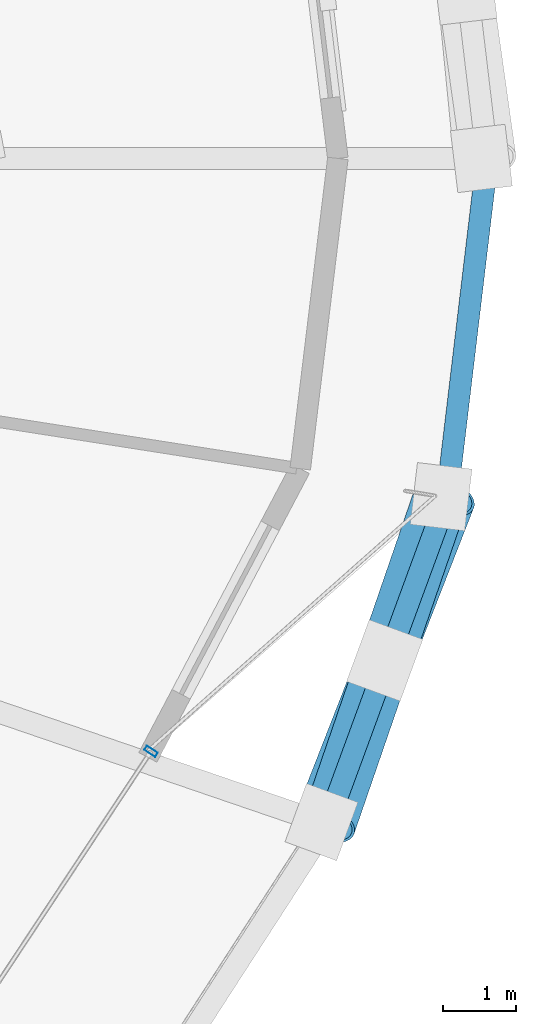
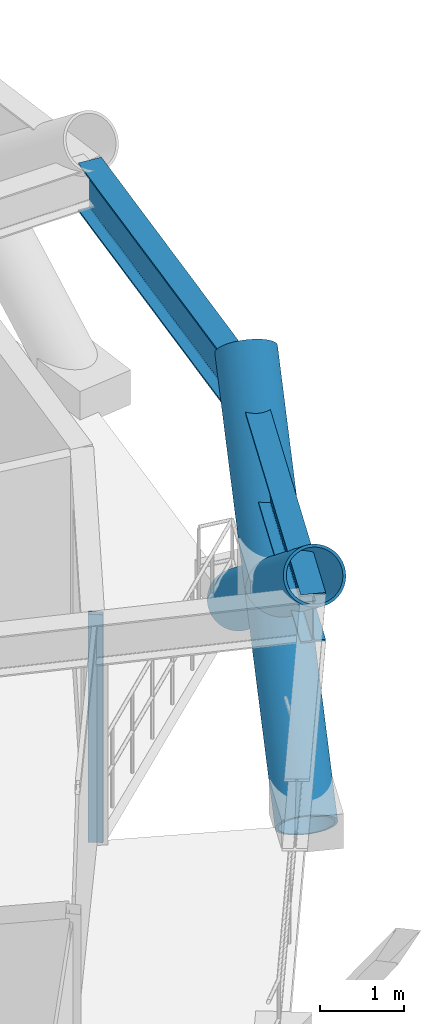
# One storey, part 12 of 21: 4 members, 2 beams, 1 element without a shape of its own.
"""IFC4 building model written with IfcOpenShell, lengths in metres."""

from ifc_helpers import new_model, si_unit, direction, frame, origin, origin_2d, place, context, subcontext, project, spatial, hollow_rectangle, hollow_circle, i_section, extrude, material, layer, layer_set, material_profile, profile_set, type_object, element, aggregate, save


model = new_model("IFC4")

# Units and contexts
model_context = context("Model", 3, precision=1e-05, world=origin(), true_north=direction((0.0, 1.0)))
body_context = subcontext(model_context, "Body", "Model", "MODEL_VIEW")
ifc_project = project(units=[si_unit("LENGTHUNIT", "METRE"), si_unit("AREAUNIT", "SQUARE_METRE"), si_unit("VOLUMEUNIT", "CUBIC_METRE"), si_unit("PLANEANGLEUNIT", "RADIAN"), si_unit("MASSUNIT", "GRAM", prefix="KILO")], contexts=[model_context])

# Site, building, storey
site_placement = place(None, origin())
site = spatial("IfcSite", under=ifc_project, at=site_placement, CompositionType="ELEMENT")
building_placement = place(site_placement, origin())
building = spatial("IfcBuilding", under=site, at=building_placement, Name="Veldorina Hangang Commons", CompositionType="ELEMENT")
storey_placement = place(building_placement, frame((0.0, 0.0, 59.199951171875)))
storey = spatial("IfcBuildingStorey", under=building, at=storey_placement, Name="L14", CompositionType="ELEMENT", Elevation=59.199951171875)

# Beams
ifc_material_1 = material(Name="Steel SM460-TMC", Category="steel")
ifc_material_profile_1 = material_profile(ifc_material_1, i_section(OverallWidth=0.300048828125, OverallDepth=0.699951171875, WebThickness=0.012939453125, FlangeThickness=0.02392578125, FilletRadius=0.02197265625, at=origin_2d()), Name="H-700x300x13x24")
ifc_profile_set_1 = profile_set([ifc_material_profile_1], Name="Steel SM460-TMC")
beam_type = type_object("IfcBeamType", Name="BM-RB700", PredefinedType="BEAM", material=ifc_profile_set_1)
beam_1_placement = place(storey_placement, frame((58.564697265625, 14.909912109375, 2.989990234375), z_axis=(0.344735154513, 0.938699991074, 0.0), x_axis=(-0.938699991074, 0.344735154513, 0.0)))
element("IfcBeam", 1, at=beam_1_placement, inside=storey, type_object=beam_type, Name="L14 perimeter hoop ring beam 30", PredefinedType="BEAM", context=body_context, shape_type="SweptSolid", body=[
    extrude(i_section(OverallWidth=0.300048828125, OverallDepth=0.699951171875, WebThickness=0.012939453125, FlangeThickness=0.02392578125, FilletRadius=0.02197265625, at=origin_2d()), origin(), (0.0, 0.0, 1.0), 4.7470703125),
])
beam_2_placement = place(storey_placement, frame((60.201171875, 19.365966796875, 2.989990234375), z_axis=(0.118386058551, 0.992967643552, 0.0), x_axis=(-0.992967643552, 0.118386058551, 0.0)))
element("IfcBeam", 2, at=beam_2_placement, inside=storey, type_object=beam_type, Name="L14 perimeter hoop ring beam 31", PredefinedType="BEAM", context=body_context, shape_type="SweptSolid", body=[
    extrude(i_section(OverallWidth=0.300048828125, OverallDepth=0.699951171875, WebThickness=0.012939453125, FlangeThickness=0.02392578125, FilletRadius=0.02197265625, at=origin_2d()), origin(), (0.0, 0.0, 1.0), 4.666748046875),
])

# Curtain wall, member
ifc_material_2 = material(Name="Glass Low-E Triple IGU", Category="glass")
ifc_layer = layer(ifc_material_2, 0.179931640625)
ifc_layer_set = layer_set([ifc_layer], Name="Glass Low-E Triple IGU")
curtain_wall_type = type_object("IfcCurtainWallType", Name="CW-SYS-Z1", PredefinedType="NOTDEFINED", material=ifc_layer_set)
curtain_wall_placement = place(storey_placement, origin())
curtain_wall = element("IfcCurtainWall", 3, at=curtain_wall_placement, inside=storey, type_object=curtain_wall_type, Name="L14 unitised curtain wall CW-L14-R2", PredefinedType="NOTDEFINED")
ifc_material_3 = material(Name="Aluminium Anodized AA6063-T6", Category="aluminium")
ifc_material_profile_2 = material_profile(ifc_material_3, hollow_rectangle(XDim=0.070068359375, YDim=0.179931640625, WallThickness=0.00390625, at=origin_2d()), Name="ALU-RHS-180x70x4")
ifc_profile_set_2 = profile_set([ifc_material_profile_2], Name="Aluminium Anodized AA6063-T6")
member_type_1 = type_object("IfcMemberType", Name="CW-MUL-180", PredefinedType="MULLION", material=ifc_profile_set_2)
member_1_placement = place(storey_placement, frame((56.161865234375, 15.9052734375, 0.0), z_axis=(0.0, 0.0, 1.0), x_axis=(-0.551325566843, -0.83429018893, 0.0)))
member_1 = element("IfcMember", 4, at=member_1_placement, type_object=member_type_1, Name="CW-L14-R2 vertical mullion 4", PredefinedType="MULLION", context=body_context, shape_type="SweptSolid", body=[
    extrude(hollow_rectangle(XDim=0.070068359375, YDim=0.179931640625, WallThickness=0.00390625, at=origin_2d()), origin(), (0.0, 0.0, 1.0), 3.300048828125),
])
aggregate(curtain_wall, [member_1])

# Members
ifc_material_profile_3 = material_profile(ifc_material_1, hollow_circle(Radius=0.375, WallThickness=0.035888671875, at=origin_2d()), Name="CHS-750x36")
ifc_profile_set_3 = profile_set([ifc_material_profile_3], Name="Steel SM460-TMC")
member_type_2 = type_object("IfcMemberType", Name="DG-CHS750", PredefinedType="BRACE", material=ifc_profile_set_3)
member_2_placement = place(storey_placement, frame((58.489990234375, 14.94091796875, 0.0), z_axis=(0.289914053157, 0.742179976081, 0.604250548106), x_axis=(-0.93145734948, 0.36385052714, 0.0)))
element("IfcMember", 5, at=member_2_placement, inside=storey, type_object=member_type_2, Name="L14 continuous perimeter diagrid brace 30", PredefinedType="BRACE", context=body_context, shape_type="SweptSolid", body=[
    extrude(hollow_circle(Radius=0.375, WallThickness=0.035888671875, at=origin_2d()), origin(), (0.0, 0.0, 1.0), 5.9580078125),
])
member_3_placement = place(storey_placement, frame((60.121826171875, 19.381591796875, 0.0), z_axis=(-0.25931461804, -0.752695015637, 0.605149685867), x_axis=(0.945464065486, -0.325726420288, 0.0)))
element("IfcMember", 6, at=member_3_placement, inside=storey, type_object=member_type_2, Name="L14 split perimeter diagrid lower brace 31", PredefinedType="BRACE", context=body_context, shape_type="SweptSolid", body=[
    extrude(hollow_circle(Radius=0.375, WallThickness=0.035888671875, at=origin_2d()), origin(), (0.0, 0.0, 1.0), 2.968505859375),
])
member_4_placement = place(storey_placement, frame((59.35205078125, 17.147216796875, 1.79638671875), z_axis=(-0.259009073753, -0.752780957556, 0.605173635955), x_axis=(0.945593641768, -0.325350064774, 0.0)))
element("IfcMember", 7, at=member_4_placement, inside=storey, type_object=member_type_2, Name="L14 split perimeter diagrid upper brace 31", PredefinedType="BRACE", context=body_context, shape_type="SweptSolid", body=[
    extrude(hollow_circle(Radius=0.375, WallThickness=0.035888671875, at=origin_2d()), origin(), (0.0, 0.0, 1.0), 2.98046875),
])

save(model, "model.ifc")
